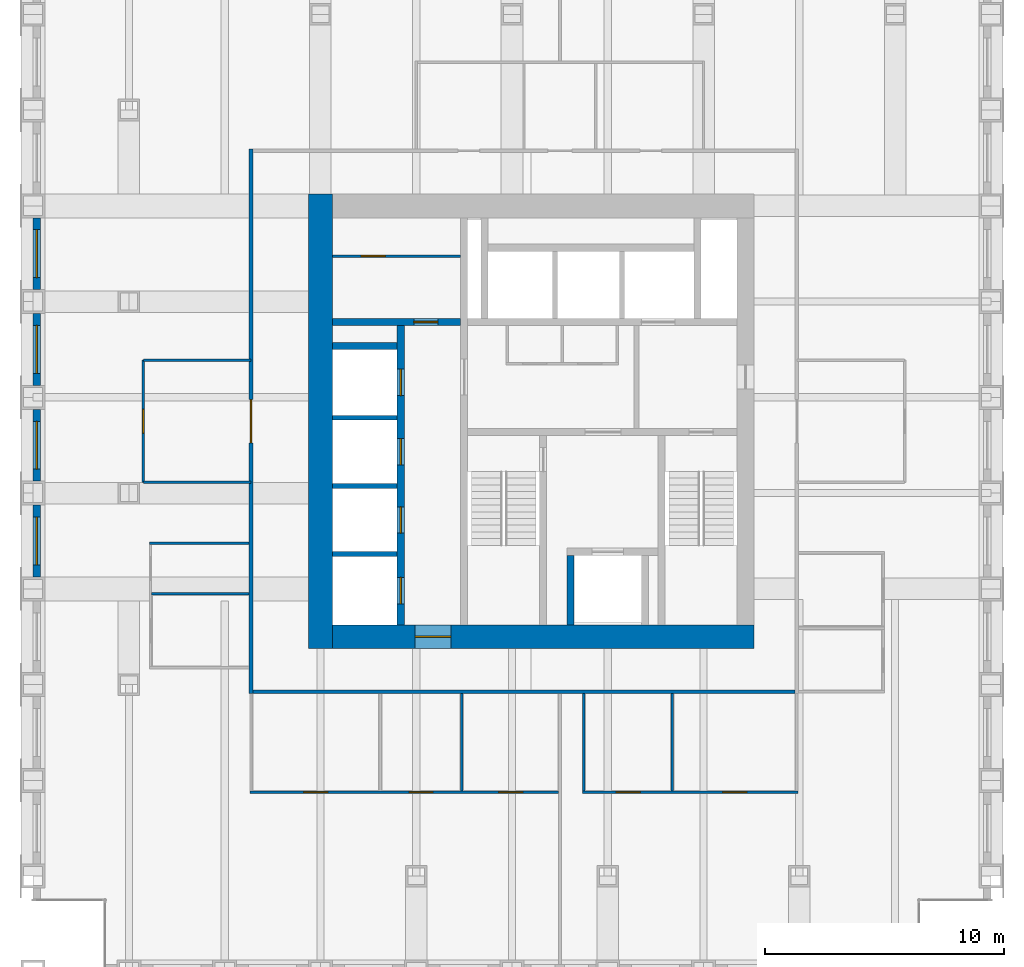
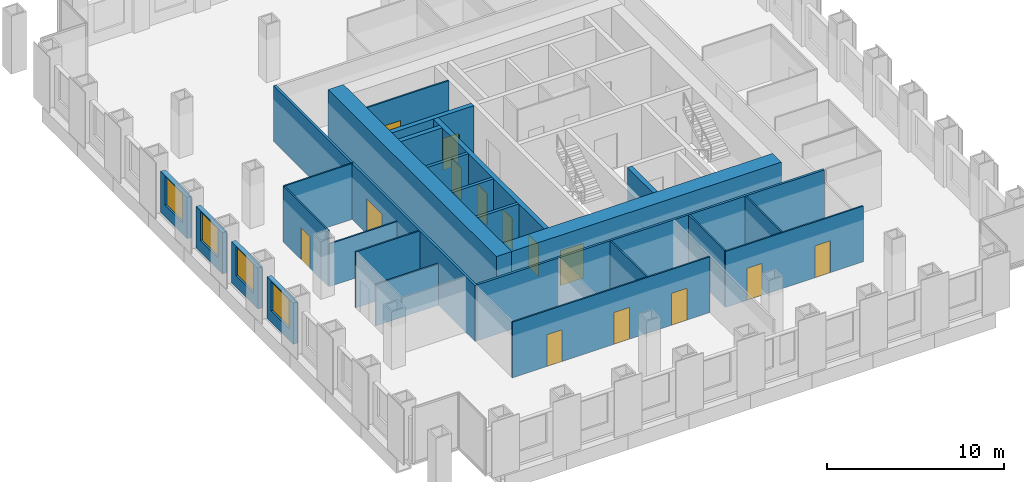
# One storey, part 8 of 12: 26 walls, 14 doors, 4 windows, 18 openings.
"""IFC4 building model written with IfcOpenShell, lengths in metres."""

import ifcopenshell
import ifcopenshell.guid

model = None  # the IFC model being written
_history = None  # IfcOwnerHistory: only IFC2X3 demands one
_inside = {}  # id of a spatial element -> (the spatial element, [elements in it])
_under = {}  # id of a project, library or spatial element -> (it, [spatial elements below it])
_declared = {}  # id of a project -> (the project, [libraries it declares])
_typed = {}  # id of a type object -> (the type object, [elements of that type])
_made_of = {}  # id of a material, layer set ... -> (it, [elements and type objects made of it])


def new_model(schema):
    """Start an empty IFC model of exactly this schema.

    Asked for "IFC4X3", IfcOpenShell would pick the latest addendum, in which some entities
    have other attributes; the version numbers below select the first issue.
    IFC2X3 requires an IfcOwnerHistory on every rooted entity: one is made here for all.
    """
    global model, _history
    if schema == "IFC4X3":
        model = ifcopenshell.file(schema_version=(4, 3, 0, 0))
    else:
        model = ifcopenshell.file(schema=schema)
    _inside.clear()
    _under.clear()
    _declared.clear()
    _typed.clear()
    _made_of.clear()
    _history = None
    if model.schema == "IFC2X3":
        org = make("IfcOrganization", Name="unknown")
        user = make(
            "IfcPersonAndOrganization",
            ThePerson=make("IfcPerson", FamilyName="unknown"),
            TheOrganization=org,
        )
        app = make(
            "IfcApplication",
            ApplicationDeveloper=org,
            Version="unknown",
            ApplicationFullName="unknown",
            ApplicationIdentifier="unknown",
        )
        _history = make(
            "IfcOwnerHistory",
            OwningUser=user,
            OwningApplication=app,
            ChangeAction="ADDED",
            CreationDate=0,
        )
    return model


def make(cls, **values):
    """One entity of the class cls with the attributes given. An attribute that is None is left unset."""
    return model.create_entity(
        cls, **{name: value for name, value in values.items() if value is not None}
    )


def rooted(cls, **values):
    """An entity with a GlobalId (a new one), such as an element, a storey or a relation."""
    return make(cls, GlobalId=ifcopenshell.guid.new(), OwnerHistory=_history, **values)


def si_unit(unit_type, name, prefix=None):
    """IfcSIUnit, for example si_unit("LENGTHUNIT", "METRE", prefix="MILLI")."""
    return make("IfcSIUnit", UnitType=unit_type, Prefix=prefix, Name=name)


def assignment(units):
    """IfcUnitAssignment: the units of a project."""
    return None if units is None else make("IfcUnitAssignment", Units=units)


def point(xyz):
    """IfcCartesianPoint."""
    return None if xyz is None else make("IfcCartesianPoint", Coordinates=xyz)


def direction(xyz):
    """IfcDirection."""
    return None if xyz is None else make("IfcDirection", DirectionRatios=xyz)


def frame(location, z_axis=None, x_axis=None):
    """IfcAxis2Placement3D, a coordinate frame: its origin and axes. An axis left out is left unset."""
    return make(
        "IfcAxis2Placement3D",
        Location=point(location),
        Axis=direction(z_axis),
        RefDirection=direction(x_axis),
    )


def frame_2d(location, x_axis=None):
    """IfcAxis2Placement2D, a coordinate frame in the plane: its origin and x axis."""
    return make(
        "IfcAxis2Placement2D", Location=point(location), RefDirection=direction(x_axis)
    )


def origin():
    """The frame at (0, 0, 0) with its axes left unset."""
    return frame((0.0, 0.0, 0.0))


def place(relative_to, where):
    """IfcLocalPlacement: puts the frame where relative to a parent placement (None: the world)."""
    return make(
        "IfcLocalPlacement", PlacementRelTo=relative_to, RelativePlacement=where
    )


def context(
    kind, dimensions, precision=None, world=None, true_north=None, identifier=None
):
    """IfcGeometricRepresentationContext, for example the 3D "Model" context."""
    return make(
        "IfcGeometricRepresentationContext",
        ContextIdentifier=identifier,
        ContextType=kind,
        CoordinateSpaceDimension=dimensions,
        Precision=precision,
        WorldCoordinateSystem=world,
        TrueNorth=true_north,
    )


def subcontext(parent, identifier, kind, view, scale=None):
    """IfcGeometricRepresentationSubContext, for example "Body" below "Model"."""
    return make(
        "IfcGeometricRepresentationSubContext",
        ContextIdentifier=identifier,
        ContextType=kind,
        ParentContext=parent,
        TargetScale=scale,
        TargetView=view,
    )


def project(units=None, contexts=None):
    """IfcProject with its units and contexts."""
    return rooted(
        "IfcProject",
        Name="project",
        RepresentationContexts=contexts,
        UnitsInContext=assignment(units),
    )


def spatial(cls, under=None, at=None, **own):
    """A site, building, storey or space (cls), placed at a placement, below another one or the project."""
    s = rooted(cls, ObjectPlacement=at, **own)
    if under is not None:
        _under.setdefault(under.id(), (under, []))[1].append(s)
    return s


def profile(cls, at=None, kind="AREA", **sizes):
    """A parametric profile (cls). Its sizes go by their IFC names, for example OverallWidth=200.0."""
    return make(cls, ProfileType=kind, Position=at, **sizes)


def rectangle(**sizes):
    """IfcRectangleProfileDef."""
    return profile("IfcRectangleProfileDef", **sizes)


def extrude(swept, where, along, depth):
    """IfcExtrudedAreaSolid: the profile swept, set in the frame where, extruded along a direction by depth."""
    return make(
        "IfcExtrudedAreaSolid",
        SweptArea=swept,
        Position=where,
        ExtrudedDirection=direction(along),
        Depth=depth,
    )


def shape(context_of_items, identifier, shape_type, items):
    """IfcShapeRepresentation: the items that make up one representation, for example the "Body"."""
    return make(
        "IfcShapeRepresentation",
        ContextOfItems=context_of_items,
        RepresentationIdentifier=identifier,
        RepresentationType=shape_type,
        Items=items,
    )


def material(Name=None, Category=None):
    """IfcMaterial."""
    return make("IfcMaterial", Name=Name, Category=Category)


def layer(
    of_material, thickness, ventilated=None, Name=None, Category=None, Priority=None
):
    """IfcMaterialLayer: one layer of a wall or slab, of a material (None: an air gap)."""
    return make(
        "IfcMaterialLayer",
        Material=of_material,
        LayerThickness=thickness,
        IsVentilated=ventilated,
        Name=Name,
        Category=Category,
        Priority=Priority,
    )


def layer_set(layers, Name=None):
    """IfcMaterialLayerSet."""
    return make("IfcMaterialLayerSet", MaterialLayers=layers, LayerSetName=Name)


def made_of(thing, what):
    """Note that an element or type object is made of a material, layer set ...; save() writes the relation."""
    if what is not None:
        _made_of.setdefault(what.id(), (what, []))[1].append(thing)
    return thing


def type_object(cls, material=None, **own):
    """A type object (cls), such as IfcWallType, which elements share."""
    return made_of(rooted(cls, **own), material)


def element(
    cls,
    number,
    at=None,
    inside=None,
    cuts=None,
    type_object=None,
    material=None,
    context=None,
    identifier="Body",
    shape_type=None,
    held_by="IfcProductDefinitionShape",
    body=None,
    shapes=None,
    **own,
):
    """One element of the class cls, such as IfcWall. Its Tag is "e" and its number.

    at: its placement. inside: the storey or other place that contains it. cuts: it is an
    opening in that element (IfcRelVoidsElement). A single representation is given by context,
    identifier, shape_type and body (its items); several are given by shapes. held_by: the class
    of the entity that holds the representations. save() writes the other relations.
    """
    e = rooted(cls, Tag="e%d" % number, ObjectPlacement=at, **own)
    if body is not None:
        shapes = [shape(context, identifier, shape_type, body)]
    if shapes is not None:
        e.Representation = make(held_by, Representations=shapes)
    if inside is not None:
        _inside.setdefault(inside.id(), (inside, []))[1].append(e)
    if cuts is not None:
        rooted(
            "IfcRelVoidsElement", RelatingBuildingElement=cuts, RelatedOpeningElement=e
        )
    if type_object is not None:
        _typed.setdefault(type_object.id(), (type_object, []))[1].append(e)
    return made_of(e, material)


def fill(opening, filler):
    """IfcRelFillsElement: the door or window that sits in an opening."""
    return rooted(
        "IfcRelFillsElement",
        RelatingOpeningElement=opening,
        RelatedBuildingElement=filler,
    )


def aggregate(whole, parts):
    """IfcRelAggregates: a whole, such as a stair, and the parts it consists of."""
    return rooted("IfcRelAggregates", RelatingObject=whole, RelatedObjects=parts)


def save(model, path):
    """Write the relations noted so far, then the file.

    IfcRelAggregates (storeys below a building ...), IfcRelContainedInSpatialStructure (elements
    in a storey), IfcRelDefinesByType, IfcRelAssociatesMaterial and IfcRelDeclares: one each for
    every whole, place, type object, material and project.
    """
    for whole, parts in _under.values():
        aggregate(whole, parts)
    for where, things in _inside.values():
        rooted(
            "IfcRelContainedInSpatialStructure",
            RelatedElements=things,
            RelatingStructure=where,
        )
    for kind, things in _typed.values():
        rooted("IfcRelDefinesByType", RelatedObjects=things, RelatingType=kind)
    for what, things in _made_of.values():
        rooted("IfcRelAssociatesMaterial", RelatedObjects=things, RelatingMaterial=what)
    for by, libraries in _declared.values():
        rooted("IfcRelDeclares", RelatingContext=by, RelatedDefinitions=libraries)
    model.write(path)


model = new_model("IFC4")

# Units and contexts
model_context = context("Model", 3, precision=1e-05, world=origin(), true_north=direction((0.0, 1.0)))
body_context = subcontext(model_context, "Body", "Model", "MODEL_VIEW")
ifc_project = project(units=[si_unit("LENGTHUNIT", "METRE"), si_unit("AREAUNIT", "SQUARE_METRE"), si_unit("VOLUMEUNIT", "CUBIC_METRE"), si_unit("PLANEANGLEUNIT", "RADIAN"), si_unit("MASSUNIT", "GRAM", prefix="KILO")], contexts=[model_context])

# Site, building, storey
site_placement = place(None, origin())
site = spatial("IfcSite", under=ifc_project, at=site_placement, CompositionType="ELEMENT")
building_placement = place(site_placement, origin())
building = spatial("IfcBuilding", under=site, at=building_placement, Name="Rimbunsela Tower", CompositionType="ELEMENT")
storey_placement = place(building_placement, frame((0.0, 0.0, 155.800048828125)))
storey = spatial("IfcBuildingStorey", under=building, at=storey_placement, Name="L37", CompositionType="ELEMENT", Elevation=155.800048828125)

# Wall
ifc_material_1 = material(Name="Concrete fc' 80 MPa", Category="concrete")
ifc_layer_1 = layer(ifc_material_1, 0.300048828125)
ifc_layer_set_1 = layer_set([ifc_layer_1], Name="Core internal wall 300")
wall_type_1 = type_object("IfcWallType", Name="Core internal wall 300", PredefinedType="SHEAR", material=ifc_layer_set_1)
wall_1_placement = place(storey_placement, frame((28.449951171875, 18.5, -0.150146484375), z_axis=(0.0, 0.0, 1.0), x_axis=(0.0, 1.0, 0.0)))
element("IfcWall", 1, at=wall_1_placement, inside=storey, type_object=wall_type_1, Name="Firefighting lift shaft west", PredefinedType="SHEAR", context=body_context, shape_type="SweptSolid", body=[
    extrude(rectangle(XDim=2.89990234375, YDim=0.300048828125, at=frame_2d((1.449951171875, 0.0))), origin(), (0.0, 0.0, 1.0), 4.0),
])

# Wall, openings, doors
wall_2_placement = place(storey_placement, frame((21.35009765625, 18.5, -0.150146484375), z_axis=(0.0, 0.0, 1.0), x_axis=(0.0, 1.0, 0.0)))
wall_2 = element("IfcWall", 2, at=wall_2_placement, inside=storey, type_object=wall_type_1, Name="Lift shaft front west", PredefinedType="SHEAR", context=body_context, shape_type="SweptSolid", body=[
    extrude(rectangle(XDim=12.5, YDim=0.300048828125, at=frame_2d((6.25, 0.0))), origin(), (0.0, 0.0, 1.0), 4.0),
])
opening_1_placement = place(wall_2_placement, frame((0.875, 0.0, 0.14990234375)))
opening_1 = element("IfcOpeningElement", 3, at=opening_1_placement, cuts=wall_2, Name="Opening LD1", PredefinedType="OPENING", context=body_context, shape_type="SweptSolid", body=[
    extrude(rectangle(XDim=1.10009765625, YDim=2.199951171875, at=frame_2d((0.550048828125, 1.10009765625))), frame((0.0, 0.159912109375, 0.0), z_axis=(0.0, -1.0, 0.0), x_axis=(1.0, 0.0, 0.0)), (0.0, 0.0, 1.0), 0.320068359375),
])
opening_2_placement = place(wall_2_placement, frame((3.824951171875, 0.0, 0.14990234375)))
opening_2 = element("IfcOpeningElement", 4, at=opening_2_placement, cuts=wall_2, Name="Opening LD1", PredefinedType="OPENING", context=body_context, shape_type="SweptSolid", body=[
    extrude(rectangle(XDim=1.10009765625, YDim=2.199951171875, at=frame_2d((0.550048828125, 1.10009765625))), frame((0.0, 0.159912109375, 0.0), z_axis=(0.0, -1.0, 0.0), x_axis=(1.0, 0.0, 0.0)), (0.0, 0.0, 1.0), 0.320068359375),
])
opening_3_placement = place(wall_2_placement, frame((6.675048828125, 0.0, 0.14990234375)))
opening_3 = element("IfcOpeningElement", 5, at=opening_3_placement, cuts=wall_2, Name="Opening LD1", PredefinedType="OPENING", context=body_context, shape_type="SweptSolid", body=[
    extrude(rectangle(XDim=1.10009765625, YDim=2.199951171875, at=frame_2d((0.550048828125, 1.10009765625))), frame((0.0, 0.159912109375, 0.0), z_axis=(0.0, -1.0, 0.0), x_axis=(1.0, 0.0, 0.0)), (0.0, 0.0, 1.0), 0.320068359375),
])
opening_4_placement = place(wall_2_placement, frame((9.574951171875, 0.0, 0.14990234375)))
opening_4 = element("IfcOpeningElement", 6, at=opening_4_placement, cuts=wall_2, Name="Opening LD1", PredefinedType="OPENING", context=body_context, shape_type="SweptSolid", body=[
    extrude(rectangle(XDim=1.10009765625, YDim=2.199951171875, at=frame_2d((0.550048828125, 1.10009765625))), frame((0.0, 0.159912109375, 0.0), z_axis=(0.0, -1.0, 0.0), x_axis=(1.0, 0.0, 0.0)), (0.0, 0.0, 1.0), 0.320068359375),
])
ifc_material_2 = material(Name="Steel door, fire rated", Category="steel")
door_type_1 = type_object("IfcDoorType", Name="Lift landing door 1100", OperationType="DOUBLE_DOOR_SLIDING", PredefinedType="DOOR", material=ifc_material_2)
door_1_placement = place(opening_1_placement, origin())
door_1 = element("IfcDoor", 7, at=door_1_placement, inside=storey, type_object=door_type_1, Name="Lift landing door HL1", OperationType="DOUBLE_DOOR_SLIDING", OverallHeight=2.199951171875, OverallWidth=1.10009765625, PredefinedType="DOOR", context=body_context, shape_type="SweptSolid", body=[
    extrude(rectangle(XDim=1.10009765625, YDim=2.199951171875, at=frame_2d((0.550048828125, 1.10009765625))), frame((0.0, 0.02490234375, 0.0), z_axis=(0.0, -1.0, 0.0), x_axis=(1.0, 0.0, 0.0)), (0.0, 0.0, 1.0), 0.050048828125),
])
fill(opening_1, door_1)
door_2_placement = place(opening_2_placement, origin())
door_2 = element("IfcDoor", 8, at=door_2_placement, inside=storey, type_object=door_type_1, Name="Lift landing door HL2", OperationType="DOUBLE_DOOR_SLIDING", OverallHeight=2.199951171875, OverallWidth=1.10009765625, PredefinedType="DOOR", context=body_context, shape_type="SweptSolid", body=[
    extrude(rectangle(XDim=1.10009765625, YDim=2.199951171875, at=frame_2d((0.550048828125, 1.10009765625))), frame((0.0, 0.02490234375, 0.0), z_axis=(0.0, -1.0, 0.0), x_axis=(1.0, 0.0, 0.0)), (0.0, 0.0, 1.0), 0.050048828125),
])
fill(opening_2, door_2)
door_3_placement = place(opening_3_placement, origin())
door_3 = element("IfcDoor", 9, at=door_3_placement, inside=storey, type_object=door_type_1, Name="Lift landing door HL3", OperationType="DOUBLE_DOOR_SLIDING", OverallHeight=2.199951171875, OverallWidth=1.10009765625, PredefinedType="DOOR", context=body_context, shape_type="SweptSolid", body=[
    extrude(rectangle(XDim=1.10009765625, YDim=2.199951171875, at=frame_2d((0.550048828125, 1.10009765625))), frame((0.0, 0.02490234375, 0.0), z_axis=(0.0, -1.0, 0.0), x_axis=(1.0, 0.0, 0.0)), (0.0, 0.0, 1.0), 0.050048828125),
])
fill(opening_3, door_3)
door_4_placement = place(opening_4_placement, origin())
door_4 = element("IfcDoor", 10, at=door_4_placement, inside=storey, type_object=door_type_1, Name="Lift landing door HL4", OperationType="DOUBLE_DOOR_SLIDING", OverallHeight=2.199951171875, OverallWidth=1.10009765625, PredefinedType="DOOR", context=body_context, shape_type="SweptSolid", body=[
    extrude(rectangle(XDim=1.10009765625, YDim=2.199951171875, at=frame_2d((0.550048828125, 1.10009765625))), frame((0.0, 0.02490234375, 0.0), z_axis=(0.0, -1.0, 0.0), x_axis=(1.0, 0.0, 0.0)), (0.0, 0.0, 1.0), 0.050048828125),
])
fill(opening_4, door_4)

# Wall, opening, door
wall_3_placement = place(storey_placement, frame((18.5, 31.14990234375, -0.150146484375), z_axis=(0.0, 0.0, 1.0), x_axis=(1.0, 0.0, 0.0)))
wall_3 = element("IfcWall", 11, at=wall_3_placement, inside=storey, type_object=wall_type_1, Name="Store wall", PredefinedType="SHEAR", context=body_context, shape_type="SweptSolid", body=[
    extrude(rectangle(XDim=5.35009765625, YDim=0.300048828125, at=frame_2d((2.675048828125, 0.0))), origin(), (0.0, 0.0, 1.0), 4.0),
])
opening_5_placement = place(wall_3_placement, frame((3.39990234375, 0.0, 0.14990234375)))
opening_5 = element("IfcOpeningElement", 12, at=opening_5_placement, cuts=wall_3, Name="Opening D19", PredefinedType="OPENING", context=body_context, shape_type="SweptSolid", body=[
    extrude(rectangle(XDim=1.0, YDim=2.199951171875, at=frame_2d((0.5, 1.10009765625))), frame((0.0, 0.159912109375, 0.0), z_axis=(0.0, -1.0, 0.0), x_axis=(1.0, 0.0, 0.0)), (0.0, 0.0, 1.0), 0.320068359375),
])
ifc_material_3 = material(Name="Steel door, fire rated", Category="steel")
door_type_2 = type_object("IfcDoorType", Name="Service door 1000 fire rated", OperationType="SINGLE_SWING_LEFT", PredefinedType="DOOR", material=ifc_material_3)
door_5_placement = place(opening_5_placement, origin())
door_5 = element("IfcDoor", 13, at=door_5_placement, inside=storey, type_object=door_type_2, Name="Facilities store door", OperationType="SINGLE_SWING_LEFT", OverallHeight=2.199951171875, OverallWidth=1.0, PredefinedType="DOOR", context=body_context, shape_type="SweptSolid", body=[
    extrude(rectangle(XDim=1.0, YDim=2.199951171875, at=frame_2d((0.5, 1.10009765625))), frame((0.0, 0.02490234375, 0.0), z_axis=(0.0, -1.0, 0.0), x_axis=(1.0, 0.0, 0.0)), (0.0, 0.0, 1.0), 0.050048828125),
])
fill(opening_5, door_5)

# Wall
wall_4_placement = place(storey_placement, frame((18.5, 30.14990234375, -0.150146484375), z_axis=(0.0, 0.0, 1.0), x_axis=(1.0, 0.0, 0.0)))
element("IfcWall", 14, at=wall_4_placement, inside=storey, type_object=wall_type_1, Name="Lift shaft rear west", PredefinedType="SHEAR", context=body_context, shape_type="SweptSolid", body=[
    extrude(rectangle(XDim=2.699951171875, YDim=0.300048828125, at=frame_2d((1.35009765625, 0.0))), origin(), (0.0, 0.0, 1.0), 4.0),
])

# Wall, opening, door
ifc_material_4 = material(Name="Concrete blockwork", Category="masonry")
ifc_layer_2 = layer(ifc_material_4, 0.10009765625)
ifc_layer_set_2 = layer_set([ifc_layer_2], Name="Core room partition 100")
wall_type_2 = type_object("IfcWallType", Name="Core room partition 100", PredefinedType="PARTITIONING", material=ifc_layer_set_2)
wall_5_placement = place(storey_placement, frame((18.5, 33.89990234375, 0.0), z_axis=(0.0, 0.0, 1.0), x_axis=(1.0, 0.0, 0.0)))
wall_5 = element("IfcWall", 15, at=wall_5_placement, inside=storey, type_object=wall_type_2, Name="Equipment store wall", PredefinedType="PARTITIONING", context=body_context, shape_type="SweptSolid", body=[
    extrude(rectangle(XDim=5.35009765625, YDim=0.10009765625, at=frame_2d((2.675048828125, 0.0))), origin(), (0.0, 0.0, 1.0), 3.849853515625),
])
opening_6_placement = place(wall_5_placement, frame((1.199951171875, 0.0, 0.0)))
opening_6 = element("IfcOpeningElement", 16, at=opening_6_placement, cuts=wall_5, Name="Opening D19", PredefinedType="OPENING", context=body_context, shape_type="SweptSolid", body=[
    extrude(rectangle(XDim=1.0, YDim=2.199951171875, at=frame_2d((0.5, 1.10009765625))), frame((0.0, 0.06005859375, 0.0), z_axis=(0.0, -1.0, 0.0), x_axis=(1.0, 0.0, 0.0)), (0.0, 0.0, 1.0), 0.1201171875),
])
door_6_placement = place(opening_6_placement, origin())
door_6 = element("IfcDoor", 17, at=door_6_placement, inside=storey, type_object=door_type_2, Name="Equipment store door", OperationType="SINGLE_SWING_LEFT", OverallHeight=2.199951171875, OverallWidth=1.0, PredefinedType="DOOR", context=body_context, shape_type="SweptSolid", body=[
    extrude(rectangle(XDim=1.0, YDim=2.199951171875, at=frame_2d((0.5, 1.10009765625))), frame((0.0, 0.02490234375, 0.0), z_axis=(0.0, -1.0, 0.0), x_axis=(1.0, 0.0, 0.0)), (0.0, 0.0, 1.0), 0.050048828125),
])
fill(opening_6, door_6)

# Wall
ifc_material_5 = material(Name="Concrete fc' 80 MPa", Category="concrete")
ifc_layer_3 = layer(ifc_material_5, 1.0)
ifc_layer_set_3 = layer_set([ifc_layer_3], Name="Core wall 1000")
wall_type_3 = type_object("IfcWallType", Name="Core wall 1000", PredefinedType="SHEAR", material=ifc_layer_set_3)
wall_6_placement = place(storey_placement, frame((18.0, 17.5, -0.150146484375), z_axis=(0.0, 0.0, 1.0), x_axis=(0.0, 1.0, 0.0)))
element("IfcWall", 18, at=wall_6_placement, inside=storey, type_object=wall_type_3, Name="Core wall west", PredefinedType="SHEAR", context=body_context, shape_type="SweptSolid", body=[
    extrude(rectangle(XDim=19.0, YDim=1.0, at=frame_2d((9.5, 0.0))), origin(), (0.0, 0.0, 1.0), 4.0),
])

# Wall, opening, door
wall_7_placement = place(storey_placement, frame((18.5, 18.0, -0.150146484375), z_axis=(0.0, 0.0, 1.0), x_axis=(1.0, 0.0, 0.0)))
wall_7 = element("IfcWall", 19, at=wall_7_placement, inside=storey, type_object=wall_type_3, Name="Core wall south", PredefinedType="SHEAR", context=body_context, shape_type="SweptSolid", body=[
    extrude(rectangle(XDim=17.60009765625, YDim=1.0, at=frame_2d((8.800048828125, 0.0))), origin(), (0.0, 0.0, 1.0), 4.0),
])
opening_7_placement = place(wall_7_placement, frame((3.449951171875, 0.0, 0.14990234375)))
opening_7 = element("IfcOpeningElement", 20, at=opening_7_placement, cuts=wall_7, Name="Opening D03", PredefinedType="OPENING", context=body_context, shape_type="SweptSolid", body=[
    extrude(rectangle(XDim=1.5, YDim=2.39990234375, at=frame_2d((0.75, 1.199951171875))), frame((0.0, 0.510009765625, 0.0), z_axis=(0.0, -1.0, 0.0), x_axis=(1.0, 0.0, 0.0)), (0.0, 0.0, 1.0), 1.02001953125),
])
ifc_material_6 = material(Name="Steel door, fire rated", Category="steel")
door_type_3 = type_object("IfcDoorType", Name="Core lobby door 1500", OperationType="DOUBLE_DOOR_DOUBLE_SWING", PredefinedType="DOOR", material=ifc_material_6)
door_7_placement = place(opening_7_placement, origin())
door_7 = element("IfcDoor", 21, at=door_7_placement, inside=storey, type_object=door_type_3, Name="Core door south", OperationType="DOUBLE_DOOR_DOUBLE_SWING", OverallHeight=2.39990234375, OverallWidth=1.5, PredefinedType="DOOR", context=body_context, shape_type="SweptSolid", body=[
    extrude(rectangle(XDim=1.5, YDim=2.39990234375, at=frame_2d((0.75, 1.199951171875))), frame((0.0, 0.02490234375, 0.0), z_axis=(0.0, -1.0, 0.0), x_axis=(1.0, 0.0, 0.0)), (0.0, 0.0, 1.0), 0.050048828125),
])
fill(opening_7, door_7)

# Walls
ifc_material_7 = material(Name="Concrete blockwork", Category="masonry")
ifc_layer_4 = layer(ifc_material_7, 0.199951171875)
ifc_layer_set_4 = layer_set([ifc_layer_4], Name="Lift shaft wall 200")
wall_type_4 = type_object("IfcWallType", Name="Lift shaft wall 200", PredefinedType="SOLIDWALL", material=ifc_layer_set_4)
for number, where, z_axis, x_axis, name in (
    (22, (18.5, 21.449951171875, -0.150146484375), (0.0, 0.0, 1.0), (1.0, 0.0, 0.0), "Lift shaft separation"),
    (23, (18.5, 24.300048828125, -0.150146484375), (0.0, 0.0, 1.0), (1.0, 0.0, 0.0), "Lift shaft separation"),
    (24, (18.5, 27.14990234375, -0.150146484375), (0.0, 0.0, 1.0), (1.0, 0.0, 0.0), "Lift shaft separation"),
):
    element("IfcWall", number, at=place(storey_placement, frame(where, z_axis=z_axis, x_axis=x_axis)), inside=storey, type_object=wall_type_4, Name=name, PredefinedType="SOLIDWALL", context=body_context, shape_type="SweptSolid", body=[
        extrude(rectangle(XDim=2.699951171875, YDim=0.199951171875, at=frame_2d((1.35009765625, 0.0))), origin(), (0.0, 0.0, 1.0), 4.0),
    ])

# Wall, openings, doors
ifc_material_8 = material(Name="Gypsum board on steel studs", Category="steel")
ifc_layer_5 = layer(ifc_material_8, 0.10009765625)
ifc_layer_set_5 = layer_set([ifc_layer_5], Name="Office partition 100")
wall_type_5 = type_object("IfcWallType", Name="Office partition 100", PredefinedType="PARTITIONING", material=ifc_layer_set_5)
wall_8_placement = place(storey_placement, frame((15.050048828125, 11.5, 0.0), z_axis=(0.0, 0.0, 1.0), x_axis=(1.0, 0.0, 0.0)))
wall_8 = element("IfcWall", 25, at=wall_8_placement, inside=storey, type_object=wall_type_5, Name="Office partition", PredefinedType="PARTITIONING", context=body_context, shape_type="SweptSolid", body=[
    extrude(rectangle(XDim=12.888916015625, YDim=0.10009765625, at=frame_2d((6.4443359375, 0.0))), origin(), (0.0, 0.0, 1.0), 3.849853515625),
])
opening_8_placement = place(wall_8_placement, frame((2.25, 0.0, 0.0)))
opening_8 = element("IfcOpeningElement", 26, at=opening_8_placement, cuts=wall_8, Name="Opening D17", PredefinedType="OPENING", context=body_context, shape_type="SweptSolid", body=[
    extrude(rectangle(XDim=1.0, YDim=2.199951171875, at=frame_2d((0.5, 1.10009765625))), frame((0.0, 0.06005859375, 0.0), z_axis=(0.0, -1.0, 0.0), x_axis=(1.0, 0.0, 0.0)), (0.0, 0.0, 1.0), 0.1201171875),
])
opening_9_placement = place(wall_8_placement, frame((6.64990234375, 0.0, 0.0)))
opening_9 = element("IfcOpeningElement", 27, at=opening_9_placement, cuts=wall_8, Name="Opening D16", PredefinedType="OPENING", context=body_context, shape_type="SweptSolid", body=[
    extrude(rectangle(XDim=1.0, YDim=2.199951171875, at=frame_2d((0.5, 1.10009765625))), frame((0.0, 0.06005859375, 0.0), z_axis=(0.0, -1.0, 0.0), x_axis=(1.0, 0.0, 0.0)), (0.0, 0.0, 1.0), 0.1201171875),
])
opening_10_placement = place(wall_8_placement, frame((10.3994140625, 0.0, 0.0)))
opening_10 = element("IfcOpeningElement", 28, at=opening_10_placement, cuts=wall_8, Name="Opening D16", PredefinedType="OPENING", context=body_context, shape_type="SweptSolid", body=[
    extrude(rectangle(XDim=1.0, YDim=2.199951171875, at=frame_2d((0.5, 1.10009765625))), frame((0.0, 0.06005859375, 0.0), z_axis=(0.0, -1.0, 0.0), x_axis=(1.0, 0.0, 0.0)), (0.0, 0.0, 1.0), 0.1201171875),
])
ifc_material_9 = material(Name="Glazed aluminium door", Category="aluminium")
door_type_4 = type_object("IfcDoorType", Name="Meeting room door 1000 glazed", OperationType="SINGLE_SWING_RIGHT", PredefinedType="DOOR", material=ifc_material_9)
door_8_placement = place(opening_8_placement, origin())
door_8 = element("IfcDoor", 29, at=door_8_placement, inside=storey, type_object=door_type_4, Name="Meeting room door", OperationType="SINGLE_SWING_RIGHT", OverallHeight=2.199951171875, OverallWidth=1.0, PredefinedType="DOOR", context=body_context, shape_type="SweptSolid", body=[
    extrude(rectangle(XDim=1.0, YDim=2.199951171875, at=frame_2d((0.5, 1.10009765625))), frame((0.0, 0.02490234375, 0.0), z_axis=(0.0, -1.0, 0.0), x_axis=(1.0, 0.0, 0.0)), (0.0, 0.0, 1.0), 0.050048828125),
])
fill(opening_8, door_8)
ifc_material_10 = material(Name="Timber door", Category="wood")
door_type_5 = type_object("IfcDoorType", Name="Office door 1000", OperationType="SINGLE_SWING_LEFT", PredefinedType="DOOR", material=ifc_material_10)
door_9_placement = place(opening_9_placement, origin())
door_9 = element("IfcDoor", 30, at=door_9_placement, inside=storey, type_object=door_type_5, Name="Office door", OperationType="SINGLE_SWING_LEFT", OverallHeight=2.199951171875, OverallWidth=1.0, PredefinedType="DOOR", context=body_context, shape_type="SweptSolid", body=[
    extrude(rectangle(XDim=1.0, YDim=2.199951171875, at=frame_2d((0.5, 1.10009765625))), frame((0.0, 0.02490234375, 0.0), z_axis=(0.0, -1.0, 0.0), x_axis=(1.0, 0.0, 0.0)), (0.0, 0.0, 1.0), 0.050048828125),
])
fill(opening_9, door_9)
door_10_placement = place(opening_10_placement, origin())
door_10 = element("IfcDoor", 31, at=door_10_placement, inside=storey, type_object=door_type_5, Name="Office door", OperationType="SINGLE_SWING_LEFT", OverallHeight=2.199951171875, OverallWidth=1.0, PredefinedType="DOOR", context=body_context, shape_type="SweptSolid", body=[
    extrude(rectangle(XDim=1.0, YDim=2.199951171875, at=frame_2d((0.5, 1.10009765625))), frame((0.0, 0.02490234375, 0.0), z_axis=(0.0, -1.0, 0.0), x_axis=(1.0, 0.0, 0.0)), (0.0, 0.0, 1.0), 0.050048828125),
])
fill(opening_10, door_10)

wall_9_placement = place(storey_placement, frame((28.948974609375, 11.5, 0.0), z_axis=(0.0, 0.0, 1.0), x_axis=(1.0, 0.0, 0.0)))
wall_9 = element("IfcWall", 32, at=wall_9_placement, inside=storey, type_object=wall_type_5, Name="Office partition", PredefinedType="PARTITIONING", context=body_context, shape_type="SweptSolid", body=[
    extrude(rectangle(XDim=9.0009765625, YDim=0.10009765625, at=frame_2d((4.50048828125, 0.0))), origin(), (0.0, 0.0, 1.0), 3.849853515625),
])
opening_11_placement = place(wall_9_placement, frame((1.39990234375, 0.0, 0.0)))
opening_11 = element("IfcOpeningElement", 33, at=opening_11_placement, cuts=wall_9, Name="Opening D17", PredefinedType="OPENING", context=body_context, shape_type="SweptSolid", body=[
    extrude(rectangle(XDim=1.0, YDim=2.199951171875, at=frame_2d((0.5, 1.10009765625))), frame((0.0, 0.06005859375, 0.0), z_axis=(0.0, -1.0, 0.0), x_axis=(1.0, 0.0, 0.0)), (0.0, 0.0, 1.0), 0.1201171875),
])
opening_12_placement = place(wall_9_placement, frame((5.8505859375, 0.0, 0.0)))
opening_12 = element("IfcOpeningElement", 34, at=opening_12_placement, cuts=wall_9, Name="Opening D16", PredefinedType="OPENING", context=body_context, shape_type="SweptSolid", body=[
    extrude(rectangle(XDim=1.0, YDim=2.199951171875, at=frame_2d((0.5, 1.10009765625))), frame((0.0, 0.06005859375, 0.0), z_axis=(0.0, -1.0, 0.0), x_axis=(1.0, 0.0, 0.0)), (0.0, 0.0, 1.0), 0.1201171875),
])
door_11_placement = place(opening_11_placement, origin())
door_11 = element("IfcDoor", 35, at=door_11_placement, inside=storey, type_object=door_type_4, Name="Meeting room door", OperationType="SINGLE_SWING_RIGHT", OverallHeight=2.199951171875, OverallWidth=1.0, PredefinedType="DOOR", context=body_context, shape_type="SweptSolid", body=[
    extrude(rectangle(XDim=1.0, YDim=2.199951171875, at=frame_2d((0.5, 1.10009765625))), frame((0.0, 0.02490234375, 0.0), z_axis=(0.0, -1.0, 0.0), x_axis=(1.0, 0.0, 0.0)), (0.0, 0.0, 1.0), 0.050048828125),
])
fill(opening_11, door_11)
door_12_placement = place(opening_12_placement, origin())
door_12 = element("IfcDoor", 36, at=door_12_placement, inside=storey, type_object=door_type_5, Name="Office door", OperationType="SINGLE_SWING_LEFT", OverallHeight=2.199951171875, OverallWidth=1.0, PredefinedType="DOOR", context=body_context, shape_type="SweptSolid", body=[
    extrude(rectangle(XDim=1.0, YDim=2.199951171875, at=frame_2d((0.5, 1.10009765625))), frame((0.0, 0.02490234375, 0.0), z_axis=(0.0, -1.0, 0.0), x_axis=(1.0, 0.0, 0.0)), (0.0, 0.0, 1.0), 0.050048828125),
])
fill(opening_12, door_12)

# Walls
wall_10_placement = place(storey_placement, frame((10.949951171875, 19.800048828125, 0.0), z_axis=(0.0, 0.0, 1.0), x_axis=(1.0, 0.0, 0.0)))
element("IfcWall", 37, at=wall_10_placement, inside=storey, type_object=wall_type_5, Name="Office partition", PredefinedType="PARTITIONING", context=body_context, shape_type="SweptSolid", body=[
    extrude(rectangle(XDim=4.074951171875, YDim=0.10009765625, at=frame_2d((2.03759765625, 0.0))), origin(), (0.0, 0.0, 1.0), 2.849853515625),
])
wall_11_placement = place(storey_placement, frame((10.85009765625, 21.89990234375, 0.0), z_axis=(0.0, 0.0, 1.0), x_axis=(1.0, 0.0, 0.0)))
element("IfcWall", 38, at=wall_11_placement, inside=storey, type_object=wall_type_5, Name="Office partition", PredefinedType="PARTITIONING", context=body_context, shape_type="SweptSolid", body=[
    extrude(rectangle(XDim=4.1748046875, YDim=0.10009765625, at=frame_2d((2.08740234375, 0.0))), origin(), (0.0, 0.0, 1.0), 3.849853515625),
])
for number, where, z_axis, x_axis, name in (
    (39, (23.89990234375, 11.550048828125, 0.0), (0.0, 0.0, 1.0), (0.0, 1.0, 0.0), "Office partition"),
    (40, (28.9990234375, 11.550048828125, 0.0), (0.0, 0.0, 1.0), (0.0, 1.0, 0.0), "Office partition"),
    (41, (32.698974609375, 11.550048828125, 0.0), (0.0, 0.0, 1.0), (0.0, 1.0, 0.0), "Office partition"),
):
    element("IfcWall", number, at=place(storey_placement, frame(where, z_axis=z_axis, x_axis=x_axis)), inside=storey, type_object=wall_type_5, Name=name, PredefinedType="PARTITIONING", context=body_context, shape_type="SweptSolid", body=[
        extrude(rectangle(XDim=4.074951171875, YDim=0.10009765625, at=frame_2d((2.03759765625, 0.0))), origin(), (0.0, 0.0, 1.0), 3.849853515625),
    ])
wall_12_placement = place(storey_placement, frame((15.10009765625, 29.550048828125, 0.0), z_axis=(0.0, 0.0, 1.0), x_axis=(-1.0, 0.0, 0.0)))
element("IfcWall", 42, at=wall_12_placement, inside=storey, type_object=wall_type_5, Name="Office partition", PredefinedType="PARTITIONING", context=body_context, shape_type="SweptSolid", body=[
    extrude(rectangle(XDim=4.5, YDim=0.10009765625, at=frame_2d((2.25, 0.0))), origin(), (0.0, 0.0, 1.0), 3.849853515625),
])

# Wall, opening, door
wall_13_placement = place(storey_placement, frame((10.60009765625, 29.550048828125, 0.0), z_axis=(0.0, 0.0, 1.0), x_axis=(0.0, -1.0, 0.0)))
wall_13 = element("IfcWall", 43, at=wall_13_placement, inside=storey, type_object=wall_type_5, Name="Office partition", PredefinedType="PARTITIONING", context=body_context, shape_type="SweptSolid", body=[
    extrude(rectangle(XDim=5.10009765625, YDim=0.10009765625, at=frame_2d((2.550048828125, 0.0))), origin(), (0.0, 0.0, 1.0), 3.849853515625),
])
opening_13_placement = place(wall_13_placement, frame((2.050048828125, 0.0, 0.0)))
opening_13 = element("IfcOpeningElement", 44, at=opening_13_placement, cuts=wall_13, Name="Opening D17", PredefinedType="OPENING", context=body_context, shape_type="SweptSolid", body=[
    extrude(rectangle(XDim=1.0, YDim=2.199951171875, at=frame_2d((0.5, 1.10009765625))), frame((0.0, 0.06005859375, 0.0), z_axis=(0.0, -1.0, 0.0), x_axis=(1.0, 0.0, 0.0)), (0.0, 0.0, 1.0), 0.1201171875),
])
door_13_placement = place(opening_13_placement, origin())
door_13 = element("IfcDoor", 45, at=door_13_placement, inside=storey, type_object=door_type_4, Name="Reception door", OperationType="SINGLE_SWING_RIGHT", OverallHeight=2.199951171875, OverallWidth=1.0, PredefinedType="DOOR", context=body_context, shape_type="SweptSolid", body=[
    extrude(rectangle(XDim=1.0, YDim=2.199951171875, at=frame_2d((0.5, 1.10009765625))), frame((0.0, 0.02490234375, 0.0), z_axis=(0.0, -1.0, 0.0), x_axis=(1.0, 0.0, 0.0)), (0.0, 0.0, 1.0), 0.050048828125),
])
fill(opening_13, door_13)

# Wall
wall_14_placement = place(storey_placement, frame((10.60009765625, 24.449951171875, 0.0), z_axis=(0.0, 0.0, 1.0), x_axis=(1.0, 0.0, 0.0)))
element("IfcWall", 46, at=wall_14_placement, inside=storey, type_object=wall_type_5, Name="Office partition", PredefinedType="PARTITIONING", context=body_context, shape_type="SweptSolid", body=[
    extrude(rectangle(XDim=4.5, YDim=0.10009765625, at=frame_2d((2.25, 0.0))), origin(), (0.0, 0.0, 1.0), 2.949951171875),
])

# Wall, opening, window
ifc_material_11 = material(Name="Precast concrete fc' 35 MPa", Category="concrete")
ifc_layer_6 = layer(ifc_material_11, 0.300048828125)
ifc_layer_set_6 = layer_set([ifc_layer_6], Name="Precast concrete fc' 35 MPa")
wall_type_6 = type_object("IfcWallType", Name="Precast facade panel 300", PredefinedType="ELEMENTEDWALL", material=ifc_layer_set_6)
wall_15_placement = place(storey_placement, frame((6.14990234375, 23.5, 0.0), z_axis=(0.0, 0.0, 1.0), x_axis=(0.0, -1.0, 0.0)))
wall_15 = element("IfcWall", 47, at=wall_15_placement, inside=storey, type_object=wall_type_6, Name="Facade panel W L37", PredefinedType="ELEMENTEDWALL", context=body_context, shape_type="SweptSolid", body=[
    extrude(rectangle(XDim=3.0, YDim=0.300048828125, at=frame_2d((1.5, 0.0))), origin(), (0.0, 0.0, 1.0), 2.849853515625),
])
opening_14_placement = place(wall_15_placement, frame((0.5, 0.0, 0.800048828125)))
opening_14 = element("IfcOpeningElement", 48, at=opening_14_placement, cuts=wall_15, Name="Opening W1", PredefinedType="OPENING", context=body_context, shape_type="SweptSolid", body=[
    extrude(rectangle(XDim=2.0, YDim=2.0, at=frame_2d((1.0, 1.0))), frame((0.0, 0.159912109375, 0.0), z_axis=(0.0, -1.0, 0.0), x_axis=(1.0, 0.0, 0.0)), (0.0, 0.0, 1.0), 0.320068359375),
])
ifc_material_12 = material(Name="Clear glass in aluminium frame", Category="aluminium")
window_type = type_object("IfcWindowType", Name="Window W1 2000x2000", PartitioningType="DOUBLE_PANEL_VERTICAL", PredefinedType="WINDOW", material=ifc_material_12)
window_1_placement = place(opening_14_placement, origin())
window_1 = element("IfcWindow", 49, at=window_1_placement, inside=storey, type_object=window_type, Name="Window L37", OverallHeight=2.0, OverallWidth=2.0, PartitioningType="SINGLE_PANEL", PredefinedType="WINDOW", context=body_context, shape_type="SweptSolid", body=[
    extrude(rectangle(XDim=2.0, YDim=2.0, at=frame_2d((1.0, 1.0))), frame((0.0, 0.030029296875, 0.0), z_axis=(0.0, -1.0, 0.0), x_axis=(1.0, 0.0, 0.0)), (0.0, 0.0, 1.0), 0.06005859375),
])
fill(opening_14, window_1)

wall_16_placement = place(storey_placement, frame((6.14990234375, 27.5, 0.0), z_axis=(0.0, 0.0, 1.0), x_axis=(0.0, -1.0, 0.0)))
wall_16 = element("IfcWall", 50, at=wall_16_placement, inside=storey, type_object=wall_type_6, Name="Facade panel W L37", PredefinedType="ELEMENTEDWALL", context=body_context, shape_type="SweptSolid", body=[
    extrude(rectangle(XDim=3.0, YDim=0.300048828125, at=frame_2d((1.5, 0.0))), origin(), (0.0, 0.0, 1.0), 2.849853515625),
])
opening_15_placement = place(wall_16_placement, frame((0.5, 0.0, 0.800048828125)))
opening_15 = element("IfcOpeningElement", 51, at=opening_15_placement, cuts=wall_16, Name="Opening W1", PredefinedType="OPENING", context=body_context, shape_type="SweptSolid", body=[
    extrude(rectangle(XDim=2.0, YDim=2.0, at=frame_2d((1.0, 1.0))), frame((0.0, 0.159912109375, 0.0), z_axis=(0.0, -1.0, 0.0), x_axis=(1.0, 0.0, 0.0)), (0.0, 0.0, 1.0), 0.320068359375),
])
window_2_placement = place(opening_15_placement, origin())
window_2 = element("IfcWindow", 52, at=window_2_placement, inside=storey, type_object=window_type, Name="Window L37", OverallHeight=2.0, OverallWidth=2.0, PartitioningType="SINGLE_PANEL", PredefinedType="WINDOW", context=body_context, shape_type="SweptSolid", body=[
    extrude(rectangle(XDim=2.0, YDim=2.0, at=frame_2d((1.0, 1.0))), frame((0.0, 0.030029296875, 0.0), z_axis=(0.0, -1.0, 0.0), x_axis=(1.0, 0.0, 0.0)), (0.0, 0.0, 1.0), 0.06005859375),
])
fill(opening_15, window_2)

wall_17_placement = place(storey_placement, frame((6.14990234375, 31.5, 0.0), z_axis=(0.0, 0.0, 1.0), x_axis=(0.0, -1.0, 0.0)))
wall_17 = element("IfcWall", 53, at=wall_17_placement, inside=storey, type_object=wall_type_6, Name="Facade panel W L37", PredefinedType="ELEMENTEDWALL", context=body_context, shape_type="SweptSolid", body=[
    extrude(rectangle(XDim=3.0, YDim=0.300048828125, at=frame_2d((1.5, 0.0))), origin(), (0.0, 0.0, 1.0), 2.849853515625),
])
opening_16_placement = place(wall_17_placement, frame((0.5, 0.0, 0.800048828125)))
opening_16 = element("IfcOpeningElement", 54, at=opening_16_placement, cuts=wall_17, Name="Opening W1", PredefinedType="OPENING", context=body_context, shape_type="SweptSolid", body=[
    extrude(rectangle(XDim=2.0, YDim=2.0, at=frame_2d((1.0, 1.0))), frame((0.0, 0.159912109375, 0.0), z_axis=(0.0, -1.0, 0.0), x_axis=(1.0, 0.0, 0.0)), (0.0, 0.0, 1.0), 0.320068359375),
])
window_3_placement = place(opening_16_placement, origin())
window_3 = element("IfcWindow", 55, at=window_3_placement, inside=storey, type_object=window_type, Name="Window L37", OverallHeight=2.0, OverallWidth=2.0, PartitioningType="SINGLE_PANEL", PredefinedType="WINDOW", context=body_context, shape_type="SweptSolid", body=[
    extrude(rectangle(XDim=2.0, YDim=2.0, at=frame_2d((1.0, 1.0))), frame((0.0, 0.030029296875, 0.0), z_axis=(0.0, -1.0, 0.0), x_axis=(1.0, 0.0, 0.0)), (0.0, 0.0, 1.0), 0.06005859375),
])
fill(opening_16, window_3)

wall_18_placement = place(storey_placement, frame((6.14990234375, 35.5, 0.0), z_axis=(0.0, 0.0, 1.0), x_axis=(0.0, -1.0, 0.0)))
wall_18 = element("IfcWall", 56, at=wall_18_placement, inside=storey, type_object=wall_type_6, Name="Facade panel W L37", PredefinedType="ELEMENTEDWALL", context=body_context, shape_type="SweptSolid", body=[
    extrude(rectangle(XDim=3.0, YDim=0.300048828125, at=frame_2d((1.5, 0.0))), origin(), (0.0, 0.0, 1.0), 2.849853515625),
])
opening_17_placement = place(wall_18_placement, frame((0.5, 0.0, 0.800048828125)))
opening_17 = element("IfcOpeningElement", 57, at=opening_17_placement, cuts=wall_18, Name="Opening W1", PredefinedType="OPENING", context=body_context, shape_type="SweptSolid", body=[
    extrude(rectangle(XDim=2.0, YDim=2.0, at=frame_2d((1.0, 1.0))), frame((0.0, 0.159912109375, 0.0), z_axis=(0.0, -1.0, 0.0), x_axis=(1.0, 0.0, 0.0)), (0.0, 0.0, 1.0), 0.320068359375),
])
window_4_placement = place(opening_17_placement, origin())
window_4 = element("IfcWindow", 58, at=window_4_placement, inside=storey, type_object=window_type, Name="Window L37", OverallHeight=2.0, OverallWidth=2.0, PartitioningType="SINGLE_PANEL", PredefinedType="WINDOW", context=body_context, shape_type="SweptSolid", body=[
    extrude(rectangle(XDim=2.0, YDim=2.0, at=frame_2d((1.0, 1.0))), frame((0.0, 0.030029296875, 0.0), z_axis=(0.0, -1.0, 0.0), x_axis=(1.0, 0.0, 0.0)), (0.0, 0.0, 1.0), 0.06005859375),
])
fill(opening_17, window_4)

# Wall, opening, door
ifc_material_13 = material(Name="Fire-rated gypsum board on steel studs, EI 60", Category="steel")
ifc_layer_7 = layer(ifc_material_13, 0.14990234375)
ifc_layer_set_7 = layer_set([ifc_layer_7], Name="Rated corridor wall 150")
wall_type_7 = type_object("IfcWallType", Name="Rated corridor wall 150", PredefinedType="PARTITIONING", material=ifc_layer_set_7)
wall_19_placement = place(storey_placement, frame((15.10009765625, 15.625, 0.0), z_axis=(0.0, 0.0, 1.0), x_axis=(0.0, 1.0, 0.0)))
wall_19 = element("IfcWall", 59, at=wall_19_placement, inside=storey, type_object=wall_type_7, Name="Corridor wall west", PredefinedType="PARTITIONING", context=body_context, shape_type="SweptSolid", body=[
    extrude(rectangle(XDim=22.75, YDim=0.14990234375, at=frame_2d((11.375, 0.0))), origin(), (0.0, 0.0, 1.0), 3.849853515625),
])
opening_18_placement = place(wall_19_placement, frame((10.47509765625, 0.0, 0.0)))
opening_18 = element("IfcOpeningElement", 60, at=opening_18_placement, cuts=wall_19, Name="Opening D09", PredefinedType="OPENING", context=body_context, shape_type="SweptSolid", body=[
    extrude(rectangle(XDim=1.800048828125, YDim=2.39990234375, at=frame_2d((0.89990234375, 1.199951171875))), frame((0.0, 0.0849609375, 0.0), z_axis=(0.0, -1.0, 0.0), x_axis=(1.0, 0.0, 0.0)), (0.0, 0.0, 1.0), 0.169921875),
])
ifc_material_14 = material(Name="Glazed aluminium door, fire rated", Category="aluminium")
door_type_6 = type_object("IfcDoorType", Name="Tenancy door 1800 glazed", OperationType="DOUBLE_DOOR_DOUBLE_SWING", PredefinedType="DOOR", material=ifc_material_14)
door_14_placement = place(opening_18_placement, origin())
door_14 = element("IfcDoor", 61, at=door_14_placement, inside=storey, type_object=door_type_6, Name="Tenancy door", OperationType="DOUBLE_DOOR_DOUBLE_SWING", OverallHeight=2.39990234375, OverallWidth=1.800048828125, PredefinedType="DOOR", context=body_context, shape_type="SweptSolid", body=[
    extrude(rectangle(XDim=1.800048828125, YDim=2.39990234375, at=frame_2d((0.89990234375, 1.199951171875))), frame((0.0, 0.02490234375, 0.0), z_axis=(0.0, -1.0, 0.0), x_axis=(1.0, 0.0, 0.0)), (0.0, 0.0, 1.0), 0.050048828125),
])
fill(opening_18, door_14)

# Wall
wall_20_placement = place(storey_placement, frame((15.175048828125, 15.699951171875, 0.0), z_axis=(0.0, 0.0, 1.0), x_axis=(1.0, 0.0, 0.0)))
element("IfcWall", 62, at=wall_20_placement, inside=storey, type_object=wall_type_7, Name="Corridor wall south", PredefinedType="PARTITIONING", context=body_context, shape_type="SweptSolid", body=[
    extrude(rectangle(XDim=22.64990234375, YDim=0.14990234375, at=frame_2d((11.324951171875, 0.0))), origin(), (0.0, 0.0, 1.0), 3.849853515625),
])

save(model, "model.ifc")
